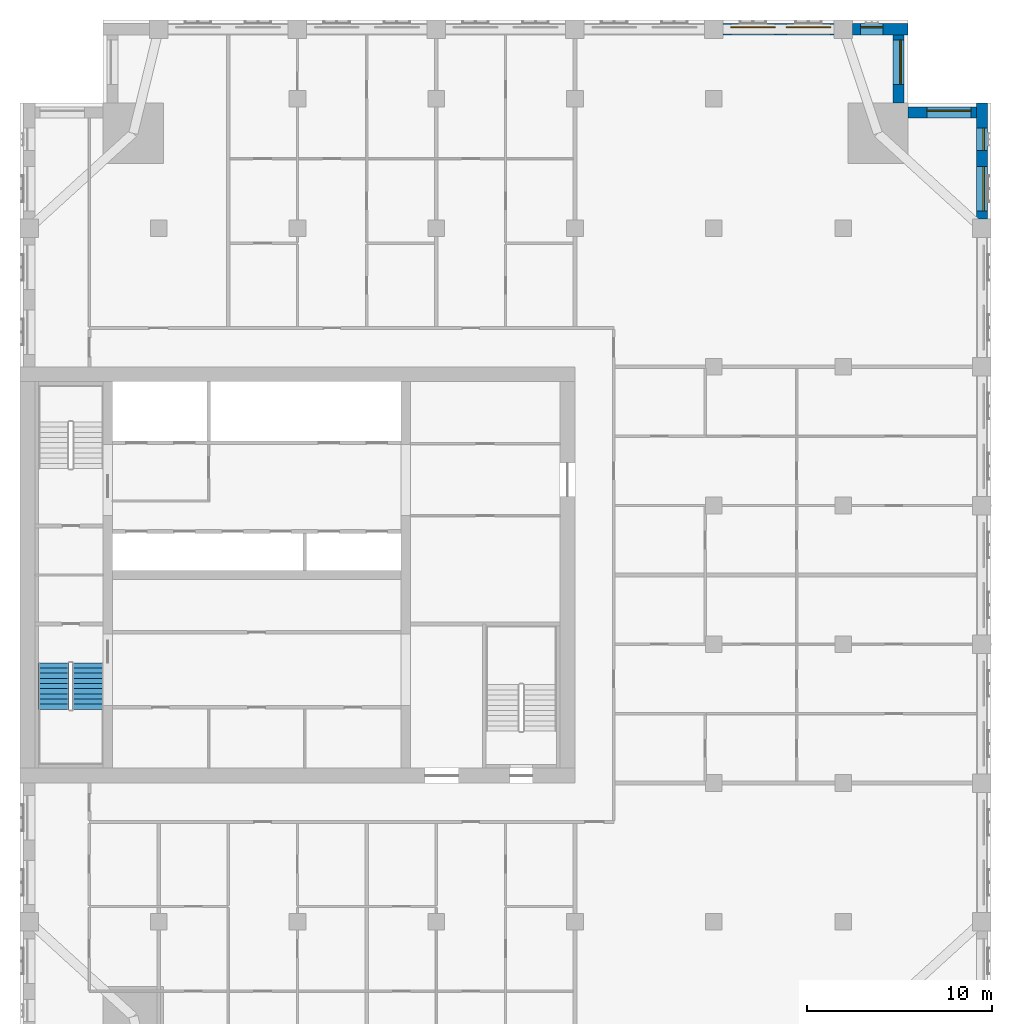
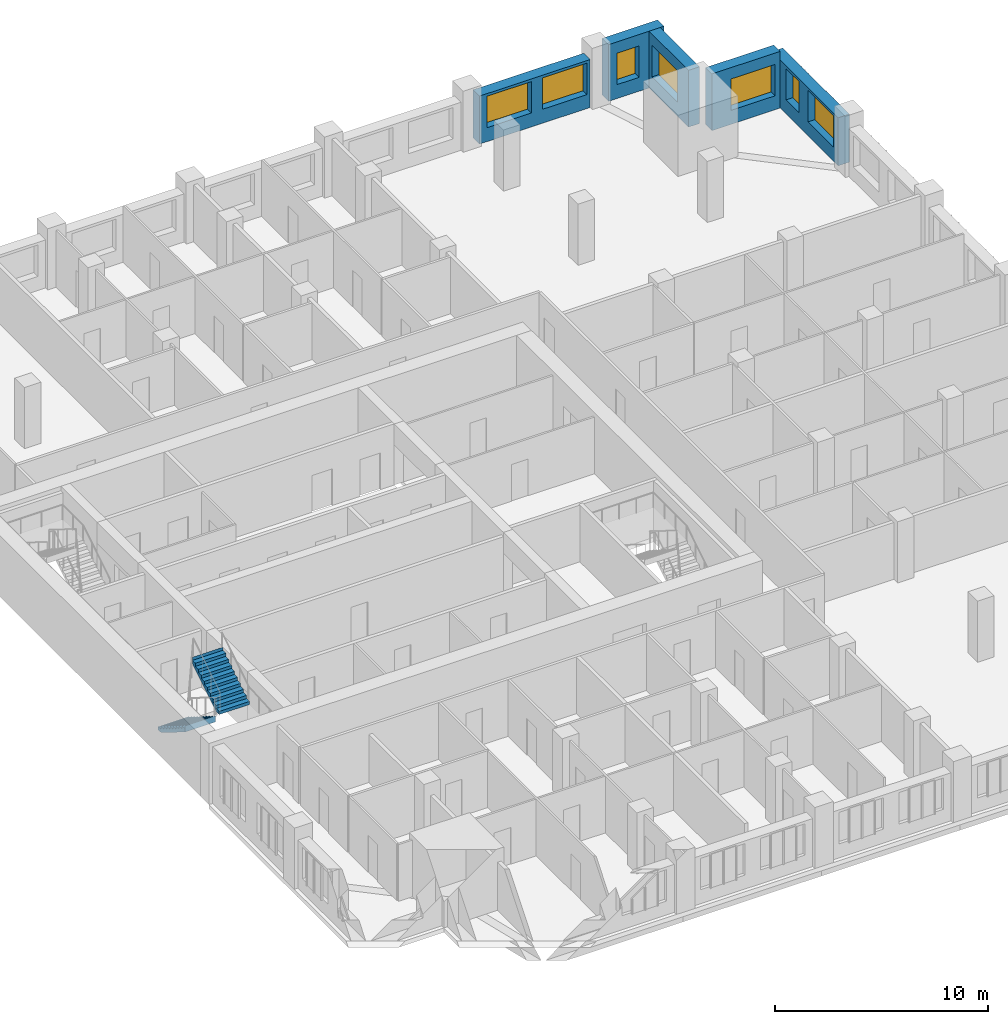
# One storey, part 12 of 14: 7 windows, 5 walls, 2 stair flights, 7 openings, 1 element without a shape of its own.
"""IFC4 building model written with IfcOpenShell, lengths in metres."""

from ifc_helpers import new_model, si_unit, direction, frame, frame_2d, origin, place, context, subcontext, project, spatial, polyline, rectangle, outline, extrude, material, layer, layer_set, type_object, element, fill, aggregate, save


model = new_model("IFC4")

# Units and contexts
model_context = context("Model", 3, precision=1e-05, world=origin(), true_north=direction((0.0, 1.0)))
body_context = subcontext(model_context, "Body", "Model", "MODEL_VIEW")
ifc_project = project(units=[si_unit("LENGTHUNIT", "METRE"), si_unit("AREAUNIT", "SQUARE_METRE"), si_unit("VOLUMEUNIT", "CUBIC_METRE"), si_unit("PLANEANGLEUNIT", "RADIAN"), si_unit("MASSUNIT", "GRAM", prefix="KILO")], contexts=[model_context])

# Site, building, storey
site_placement = place(None, origin())
site = spatial("IfcSite", under=ifc_project, at=site_placement, CompositionType="ELEMENT")
building_placement = place(site_placement, origin())
building = spatial("IfcBuilding", under=site, at=building_placement, Name="Tamorin Gate", CompositionType="ELEMENT")
storey_placement = place(building_placement, frame((0.0, 0.0, 179.199951171875)))
storey = spatial("IfcBuildingStorey", under=building, at=storey_placement, Name="L43", CompositionType="ELEMENT", Elevation=179.199951171875)

# Wall, openings, windows
ifc_material_1 = material(Name="Precast concrete C40/50", Category="concrete")
ifc_layer = layer(ifc_material_1, 0.60009765625)
ifc_layer_set = layer_set([ifc_layer], Name="Precast concrete C40/50")
wall_type = type_object("IfcWallType", Name="Board-marked concrete facade panel 600", PredefinedType="SOLIDWALL", material=ifc_layer_set)
wall_1_placement = place(storey_placement, frame((82.0, 90.5, 0.0), z_axis=(0.0, 0.0, 1.0), x_axis=(0.0, 1.0, 0.0)))
wall_1 = element("IfcWall", 1, at=wall_1_placement, inside=storey, type_object=wall_type, Name="Facade panel", PredefinedType="SOLIDWALL", context=body_context, shape_type="SweptSolid", body=[
    extrude(rectangle(XDim=6.25, YDim=0.60009765625, at=frame_2d((3.125, 0.0))), origin(), (0.0, 0.0, 1.0), 2.75),
])
opening_1_placement = place(wall_1_placement, frame((0.425048828125, 0.0, 0.800048828125)))
opening_1 = element("IfcOpeningElement", 2, at=opening_1_placement, cuts=wall_1, Name="Opening WN1", PredefinedType="OPENING", context=body_context, shape_type="SweptSolid", body=[
    extrude(rectangle(XDim=2.39990234375, YDim=1.800048828125, at=frame_2d((1.199951171875, 0.89990234375))), frame((0.0, 0.31005859375, 0.0), z_axis=(0.0, -1.0, 0.0), x_axis=(1.0, 0.0, 0.0)), (0.0, 0.0, 1.0), 0.6201171875),
])
opening_2_placement = place(wall_1_placement, frame((3.699951171875, 0.0, 0.800048828125)))
opening_2 = element("IfcOpeningElement", 3, at=opening_2_placement, cuts=wall_1, Name="Opening WN3", PredefinedType="OPENING", context=body_context, shape_type="SweptSolid", body=[
    extrude(rectangle(XDim=1.199951171875, YDim=1.800048828125, at=frame_2d((0.60009765625, 0.89990234375))), frame((0.0, 0.31005859375, 0.0), z_axis=(0.0, -1.0, 0.0), x_axis=(1.0, 0.0, 0.0)), (0.0, 0.0, 1.0), 0.6201171875),
])
ifc_material_2 = material(Name="Clear glass in aluminium frame", Category="aluminium")
window_type_1 = type_object("IfcWindowType", Name="Deep-set window 1200x1800", PartitioningType="SINGLE_PANEL", PredefinedType="WINDOW", material=ifc_material_2)
window_1_placement = place(opening_2_placement, origin())
window_1 = element("IfcWindow", 4, at=window_1_placement, inside=storey, type_object=window_type_1, Name="Deep-set window", OverallHeight=1.800048828125, OverallWidth=1.199951171875, PartitioningType="SINGLE_PANEL", PredefinedType="WINDOW", context=body_context, shape_type="SweptSolid", body=[
    extrude(rectangle(XDim=1.199951171875, YDim=1.800048828125, at=frame_2d((0.60009765625, 0.89990234375))), frame((0.0, -0.070068359375, 0.0), z_axis=(0.0, -1.0, 0.0), x_axis=(1.0, 0.0, 0.0)), (0.0, 0.0, 1.0), 0.06005859375),
])
fill(opening_2, window_1)
window_type_2 = type_object("IfcWindowType", Name="Deep-set window 2400x1800", PartitioningType="SINGLE_PANEL", PredefinedType="WINDOW", material=ifc_material_2)
window_2_placement = place(opening_1_placement, origin())
window_2 = element("IfcWindow", 5, at=window_2_placement, inside=storey, type_object=window_type_2, Name="Deep-set window", OverallHeight=1.800048828125, OverallWidth=2.39990234375, PartitioningType="SINGLE_PANEL", PredefinedType="WINDOW", context=body_context, shape_type="SweptSolid", body=[
    extrude(rectangle(XDim=2.39990234375, YDim=1.800048828125, at=frame_2d((1.199951171875, 0.89990234375))), frame((0.0, -0.070068359375, 0.0), z_axis=(0.0, -1.0, 0.0), x_axis=(1.0, 0.0, 0.0)), (0.0, 0.0, 1.0), 0.06005859375),
])
fill(opening_1, window_2)

# Wall, opening, window
wall_2_placement = place(storey_placement, frame((81.699951171875, 96.25, 0.0), z_axis=(0.0, 0.0, 1.0), x_axis=(-1.0, 0.0, 0.0)))
wall_2 = element("IfcWall", 6, at=wall_2_placement, inside=storey, type_object=wall_type, Name="Facade panel", PredefinedType="SOLIDWALL", context=body_context, shape_type="SweptSolid", body=[
    extrude(rectangle(XDim=3.699951171875, YDim=0.60009765625, at=frame_2d((1.85009765625, 0.0))), origin(), (0.0, 0.0, 1.0), 3.25),
])
opening_3_placement = place(wall_2_placement, frame((0.27490234375, 0.0, 0.800048828125)))
opening_3 = element("IfcOpeningElement", 7, at=opening_3_placement, cuts=wall_2, Name="Opening WN1", PredefinedType="OPENING", context=body_context, shape_type="SweptSolid", body=[
    extrude(rectangle(XDim=2.39990234375, YDim=1.800048828125, at=frame_2d((1.199951171875, 0.89990234375))), frame((0.0, 0.31005859375, 0.0), z_axis=(0.0, -1.0, 0.0), x_axis=(1.0, 0.0, 0.0)), (0.0, 0.0, 1.0), 0.6201171875),
])
window_3_placement = place(opening_3_placement, origin())
window_3 = element("IfcWindow", 8, at=window_3_placement, inside=storey, type_object=window_type_2, Name="Deep-set window", OverallHeight=1.800048828125, OverallWidth=2.39990234375, PartitioningType="SINGLE_PANEL", PredefinedType="WINDOW", context=body_context, shape_type="SweptSolid", body=[
    extrude(rectangle(XDim=2.39990234375, YDim=1.800048828125, at=frame_2d((1.199951171875, 0.89990234375))), frame((0.0, -0.070068359375, 0.0), z_axis=(0.0, -1.0, 0.0), x_axis=(1.0, 0.0, 0.0)), (0.0, 0.0, 1.0), 0.06005859375),
])
fill(opening_3, window_3)

wall_3_placement = place(storey_placement, frame((77.5, 96.75, 0.0), z_axis=(0.0, 0.0, 1.0), x_axis=(0.0, 1.0, 0.0)))
wall_3 = element("IfcWall", 9, at=wall_3_placement, inside=storey, type_object=wall_type, Name="Facade panel", PredefinedType="SOLIDWALL", context=body_context, shape_type="SweptSolid", body=[
    extrude(rectangle(XDim=3.699951171875, YDim=0.60009765625, at=frame_2d((1.85009765625, 0.0))), origin(), (0.0, 0.0, 1.0), 3.25),
])
opening_4_placement = place(wall_3_placement, frame((1.02490234375, 0.0, 0.800048828125)))
opening_4 = element("IfcOpeningElement", 10, at=opening_4_placement, cuts=wall_3, Name="Opening WN1", PredefinedType="OPENING", context=body_context, shape_type="SweptSolid", body=[
    extrude(rectangle(XDim=2.39990234375, YDim=1.800048828125, at=frame_2d((1.199951171875, 0.89990234375))), frame((0.0, 0.31005859375, 0.0), z_axis=(0.0, -1.0, 0.0), x_axis=(1.0, 0.0, 0.0)), (0.0, 0.0, 1.0), 0.6201171875),
])
window_4_placement = place(opening_4_placement, origin())
window_4 = element("IfcWindow", 11, at=window_4_placement, inside=storey, type_object=window_type_2, Name="Deep-set window", OverallHeight=1.800048828125, OverallWidth=2.39990234375, PartitioningType="SINGLE_PANEL", PredefinedType="WINDOW", context=body_context, shape_type="SweptSolid", body=[
    extrude(rectangle(XDim=2.39990234375, YDim=1.800048828125, at=frame_2d((1.199951171875, 0.89990234375))), frame((0.0, -0.070068359375, 0.0), z_axis=(0.0, -1.0, 0.0), x_axis=(1.0, 0.0, 0.0)), (0.0, 0.0, 1.0), 0.06005859375),
])
fill(opening_4, window_4)

wall_4_placement = place(storey_placement, frame((78.0, 100.75, 0.0), z_axis=(0.0, 0.0, 1.0), x_axis=(-1.0, 0.0, 0.0)))
wall_4 = element("IfcWall", 12, at=wall_4_placement, inside=storey, type_object=wall_type, Name="Facade panel", PredefinedType="SOLIDWALL", context=body_context, shape_type="SweptSolid", body=[
    extrude(rectangle(XDim=3.0, YDim=0.60009765625, at=frame_2d((1.5, 0.0))), origin(), (0.0, 0.0, 1.0), 3.25),
])
opening_5_placement = place(wall_4_placement, frame((1.35009765625, 0.0, 0.800048828125)))
opening_5 = element("IfcOpeningElement", 13, at=opening_5_placement, cuts=wall_4, Name="Opening WN3", PredefinedType="OPENING", context=body_context, shape_type="SweptSolid", body=[
    extrude(rectangle(XDim=1.199951171875, YDim=1.800048828125, at=frame_2d((0.60009765625, 0.89990234375))), frame((0.0, 0.31005859375, 0.0), z_axis=(0.0, -1.0, 0.0), x_axis=(1.0, 0.0, 0.0)), (0.0, 0.0, 1.0), 0.6201171875),
])
window_5_placement = place(opening_5_placement, origin())
window_5 = element("IfcWindow", 14, at=window_5_placement, inside=storey, type_object=window_type_1, Name="Deep-set window", OverallHeight=1.800048828125, OverallWidth=1.199951171875, PartitioningType="SINGLE_PANEL", PredefinedType="WINDOW", context=body_context, shape_type="SweptSolid", body=[
    extrude(rectangle(XDim=1.199951171875, YDim=1.800048828125, at=frame_2d((0.60009765625, 0.89990234375))), frame((0.0, -0.070068359375, 0.0), z_axis=(0.0, -1.0, 0.0), x_axis=(1.0, 0.0, 0.0)), (0.0, 0.0, 1.0), 0.06005859375),
])
fill(opening_5, window_5)

# Wall, openings, windows
wall_5_placement = place(storey_placement, frame((74.0, 100.75, 0.0), z_axis=(0.0, 0.0, 1.0), x_axis=(-1.0, 0.0, 0.0)))
wall_5 = element("IfcWall", 15, at=wall_5_placement, inside=storey, type_object=wall_type, Name="Facade panel", PredefinedType="SOLIDWALL", context=body_context, shape_type="SweptSolid", body=[
    extrude(rectangle(XDim=6.0, YDim=0.60009765625, at=frame_2d((3.0, 0.0))), origin(), (0.0, 0.0, 1.0), 2.75),
])
opening_6_placement = place(wall_5_placement, frame((3.175048828125, 0.0, 0.800048828125)))
opening_6 = element("IfcOpeningElement", 16, at=opening_6_placement, cuts=wall_5, Name="Opening WN1", PredefinedType="OPENING", context=body_context, shape_type="SweptSolid", body=[
    extrude(rectangle(XDim=2.39990234375, YDim=1.800048828125, at=frame_2d((1.199951171875, 0.89990234375))), frame((0.0, 0.31005859375, 0.0), z_axis=(0.0, -1.0, 0.0), x_axis=(1.0, 0.0, 0.0)), (0.0, 0.0, 1.0), 0.6201171875),
])
opening_7_placement = place(wall_5_placement, frame((0.175048828125, 0.0, 0.800048828125)))
opening_7 = element("IfcOpeningElement", 17, at=opening_7_placement, cuts=wall_5, Name="Opening WN1", PredefinedType="OPENING", context=body_context, shape_type="SweptSolid", body=[
    extrude(rectangle(XDim=2.39990234375, YDim=1.800048828125, at=frame_2d((1.199951171875, 0.89990234375))), frame((0.0, 0.31005859375, 0.0), z_axis=(0.0, -1.0, 0.0), x_axis=(1.0, 0.0, 0.0)), (0.0, 0.0, 1.0), 0.6201171875),
])
window_6_placement = place(opening_6_placement, origin())
window_6 = element("IfcWindow", 18, at=window_6_placement, inside=storey, type_object=window_type_2, Name="Deep-set window", OverallHeight=1.800048828125, OverallWidth=2.39990234375, PartitioningType="SINGLE_PANEL", PredefinedType="WINDOW", context=body_context, shape_type="SweptSolid", body=[
    extrude(rectangle(XDim=2.39990234375, YDim=1.800048828125, at=frame_2d((1.199951171875, 0.89990234375))), frame((0.0, -0.070068359375, 0.0), z_axis=(0.0, -1.0, 0.0), x_axis=(1.0, 0.0, 0.0)), (0.0, 0.0, 1.0), 0.06005859375),
])
fill(opening_6, window_6)
window_7_placement = place(opening_7_placement, origin())
window_7 = element("IfcWindow", 19, at=window_7_placement, inside=storey, type_object=window_type_2, Name="Deep-set window", OverallHeight=1.800048828125, OverallWidth=2.39990234375, PartitioningType="SINGLE_PANEL", PredefinedType="WINDOW", context=body_context, shape_type="SweptSolid", body=[
    extrude(rectangle(XDim=2.39990234375, YDim=1.800048828125, at=frame_2d((1.199951171875, 0.89990234375))), frame((0.0, -0.070068359375, 0.0), z_axis=(0.0, -1.0, 0.0), x_axis=(1.0, 0.0, 0.0)), (0.0, 0.0, 1.0), 0.06005859375),
])
fill(opening_7, window_7)

# Stair, stair flights
ifc_material_3 = material(Name="Concrete C40/50", Category="concrete")
stair_type = type_object("IfcStairType", Name="Exit stair", PredefinedType="HALF_TURN_STAIR", material=ifc_material_3)
stair_placement = place(storey_placement, origin())
stair = element("IfcStair", 20, at=stair_placement, inside=storey, type_object=stair_type, Name="L43 stair ST1", PredefinedType="HALF_TURN_STAIR")
stair_flight_type = type_object("IfcStairFlightType", Name="Exit stair flight", PredefinedType="STRAIGHT", material=ifc_material_3)
stair_flight_1_placement = place(storey_placement, frame((31.824951171875, 66.5, 0.0), z_axis=(0.0, 0.0, 1.0), x_axis=(0.0, -1.0, 0.0)))
stair_flight_1 = element("IfcStairFlight", 21, at=stair_flight_1_placement, type_object=stair_flight_type, Name="ST1 flight 1", NumberOfRisers=10, NumberOfTreads=9, PredefinedType="STRAIGHT", RiserHeight=0.175, TreadLength=0.28, context=body_context, shape_type="SweptSolid", body=[
    extrude(outline(polyline([(-0.00048828125, 0.0), (-0.00048828125, 0.001708984375), (-0.00048828125, 0.00341796875), (-0.00048828125, 0.005126953125), (-0.00048828125, 0.0068359375), (-0.00048828125, 0.008544921875), (-0.00048828125, 0.010498046875), (-0.00048828125, 0.01220703125), (-0.00048828125, 0.013916015625), (-0.00048828125, 0.015625), (-0.00048828125, 0.017333984375), (-0.00048828125, 0.01904296875), (-0.00048828125, 0.020751953125), (-0.00048828125, 0.0224609375), (-0.00048828125, 0.024169921875), (-0.00048828125, 0.02587890625), (-0.00048828125, 0.02783203125), (-0.00048828125, 0.029541015625), (-0.00048828125, 0.03125), (-0.00048828125, 0.032958984375), (-0.00048828125, 0.03466796875), (-0.00048828125, 0.036376953125), (-0.00048828125, 0.0380859375), (-0.00048828125, 0.039794921875), (-0.00048828125, 0.04150390625), (-0.00048828125, 0.043212890625), (-0.00048828125, 0.045166015625), (-0.00048828125, 0.046875), (-0.00048828125, 0.048583984375), (-0.00048828125, 0.05029296875), (-0.00048828125, 0.052001953125), (-0.00048828125, 0.0537109375), (-0.00048828125, 0.055419921875), (-0.00048828125, 0.05712890625), (-0.00048828125, 0.058837890625), (-0.00048828125, 0.060546875), (-0.00048828125, 0.062255859375), (-0.00048828125, 0.064208984375), (-0.00048828125, 0.06591796875), (-0.00048828125, 0.067626953125), (-0.00048828125, 0.0693359375), (-0.00048828125, 0.071044921875), (-0.00048828125, 0.07275390625), (-0.00048828125, 0.074462890625), (-0.00048828125, 0.076171875), (-0.00048828125, 0.077880859375), (-0.00048828125, 0.07958984375), (-0.00048828125, 0.08154296875), (-0.00048828125, 0.083251953125), (-0.00048828125, 0.0849609375), (-0.00048828125, 0.086669921875), (-0.00048828125, 0.08837890625), (-0.00048828125, 0.090087890625), (-0.00048828125, 0.091796875), (-0.00048828125, 0.093505859375), (-0.00048828125, 0.09521484375), (-0.00048828125, 0.096923828125), (-0.00048828125, 0.098876953125), (-0.00048828125, 0.1005859375), (-0.00048828125, 0.102294921875), (-0.00048828125, 0.10400390625), (-0.00048828125, 0.105712890625), (-0.00048828125, 0.107421875), (-0.00048828125, 0.109130859375), (-0.00048828125, 0.11083984375), (-0.00048828125, 0.112548828125), (-0.00048828125, 0.1142578125), (-0.00048828125, 0.1162109375), (-0.00048828125, 0.117919921875), (-0.00048828125, 0.11962890625), (-0.00048828125, 0.121337890625), (-0.00048828125, 0.123046875), (-0.00048828125, 0.124755859375), (-0.00048828125, 0.12646484375), (-0.00048828125, 0.128173828125), (-0.00048828125, 0.1298828125), (-0.00048828125, 0.131591796875), (-0.00048828125, 0.13330078125), (-0.00048828125, 0.13525390625), (-0.00048828125, 0.136962890625), (-0.00048828125, 0.138671875), (-0.00048828125, 0.140380859375), (-0.00048828125, 0.14208984375), (-0.00048828125, 0.143798828125), (-0.00048828125, 0.1455078125), (-0.00048828125, 0.147216796875), (-0.00048828125, 0.14892578125), (-0.00048828125, 0.150634765625), (-0.00048828125, 0.152587890625), (-0.00048828125, 0.154296875), (-0.00048828125, 0.156005859375), (-0.00048828125, 0.15771484375), (-0.00048828125, 0.159423828125), (-0.00048828125, 0.1611328125), (-0.00048828125, 0.162841796875), (-0.00048828125, 0.16455078125), (-0.00048828125, 0.166259765625), (-0.00048828125, 0.16796875), (-0.00048828125, 0.169921875), (-0.00048828125, 0.171630859375), (-0.00048828125, 0.17333984375), (-0.00048828125, 0.175048828125), (0.280029296875, 0.175048828125), (0.280029296875, 0.35009765625), (0.56005859375, 0.35009765625), (0.56005859375, 0.52490234375), (0.840087890625, 0.52490234375), (0.840087890625, 0.699951171875), (1.1201171875, 0.699951171875), (1.1201171875, 0.875), (1.39990234375, 0.875), (1.39990234375, 1.050048828125), (1.679931640625, 1.050048828125), (1.679931640625, 1.22509765625), (1.9599609375, 1.22509765625), (1.9599609375, 1.39990234375), (2.239990234375, 1.39990234375), (2.239990234375, 1.574951171875), (2.52001953125, 1.574951171875), (2.52001953125, 1.75), (2.5205078125, 1.75), (2.5205078125, 1.74658203125), (2.5205078125, 1.742919921875), (2.5205078125, 1.739501953125), (2.5205078125, 1.736083984375), (2.5205078125, 1.732666015625), (2.5205078125, 1.72900390625), (2.5205078125, 1.7255859375), (2.5205078125, 1.72216796875), (2.5205078125, 1.71875), (2.5205078125, 1.715087890625), (2.5205078125, 1.711669921875), (2.5205078125, 1.708251953125), (2.5205078125, 1.704833984375), (2.5205078125, 1.701171875), (2.5205078125, 1.69775390625), (2.5205078125, 1.6943359375), (2.5205078125, 1.690673828125), (2.5205078125, 1.687255859375), (2.5205078125, 1.683837890625), (2.5205078125, 1.680419921875), (2.5205078125, 1.6767578125), (2.5205078125, 1.67333984375), (2.5205078125, 1.669921875), (2.5205078125, 1.66650390625), (2.5205078125, 1.662841796875), (2.5205078125, 1.659423828125), (2.5205078125, 1.656005859375), (2.5205078125, 1.652587890625), (2.5205078125, 1.64892578125), (2.5205078125, 1.6455078125), (2.5205078125, 1.64208984375), (2.5205078125, 1.638427734375), (2.5205078125, 1.635009765625), (2.5205078125, 1.631591796875), (2.5205078125, 1.628173828125), (2.5205078125, 1.62451171875), (2.5205078125, 1.62109375), (2.5205078125, 1.61767578125), (2.5205078125, 1.6142578125), (2.5205078125, 1.610595703125), (2.5205078125, 1.607177734375), (2.5205078125, 1.603759765625), (2.5205078125, 1.600341796875), (2.5205078125, 1.5966796875), (2.5205078125, 1.59326171875), (2.5205078125, 1.58984375), (2.5205078125, 1.58642578125), (2.5205078125, 1.582763671875), (2.5205078125, 1.579345703125), (2.5205078125, 1.575927734375), (2.5205078125, 1.572265625), (2.5205078125, 1.56884765625), (2.5205078125, 1.5654296875), (2.5205078125, 1.56201171875), (2.5205078125, 1.558349609375), (2.5205078125, 1.554931640625), (2.5205078125, 1.551513671875), (2.5205078125, 1.548095703125), (2.5205078125, 1.54443359375), (2.5205078125, 1.541015625), (2.5205078125, 1.53759765625), (2.5205078125, 1.5341796875), (2.5205078125, 1.530517578125), (2.5205078125, 1.527099609375), (2.5205078125, 1.523681640625), (2.5205078125, 1.52001953125), (2.5205078125, 1.5166015625), (2.5205078125, 1.51318359375), (2.5205078125, 1.509765625), (2.5205078125, 1.506103515625), (2.5205078125, 1.502685546875), (2.5205078125, 1.499267578125), (2.5205078125, 1.495849609375), (2.5205078125, 1.4921875), (2.5205078125, 1.48876953125), (2.5205078125, 1.4853515625), (2.5205078125, 1.48193359375), (2.5205078125, 1.478271484375), (2.5205078125, 1.474853515625), (2.5205078125, 1.471435546875), (2.5205078125, 1.4677734375), (2.5205078125, 1.46435546875), (2.5205078125, 1.4609375), (2.5205078125, 1.45751953125), (2.5205078125, 1.453857421875), (2.5205078125, 1.450439453125), (2.5205078125, 1.447021484375), (2.5205078125, 1.443603515625), (2.5205078125, 1.43994140625), (2.5205078125, 1.4365234375), (2.5205078125, 1.43310546875), (2.5205078125, 1.4296875), (2.5205078125, 1.426025390625), (2.5205078125, 1.422607421875), (2.5205078125, 1.419189453125), (2.5205078125, 1.41552734375), (2.5205078125, 1.412109375), (2.5205078125, 1.40869140625), (2.5205078125, 1.4052734375), (2.5205078125, 1.401611328125), (2.5205078125, 1.398193359375), (2.52001953125, 1.398193359375), (0.28271484375, 0.0), (-0.00048828125, 0.0)])), frame((0.0, 0.824951171875, 0.0), z_axis=(0.0, -1.0, 0.0), x_axis=(1.0, 0.0, 0.0)), (0.0, 0.0, 1.0), 1.64990234375),
])
stair_flight_2_placement = place(storey_placement, frame((33.675048828125, 63.97998046875, 1.75), z_axis=(0.0, 0.0, 1.0), x_axis=(0.0, 1.0, 0.0)))
stair_flight_2 = element("IfcStairFlight", 22, at=stair_flight_2_placement, type_object=stair_flight_type, Name="ST1 flight 2", NumberOfRisers=10, NumberOfTreads=9, PredefinedType="STRAIGHT", RiserHeight=0.175, TreadLength=0.28, context=body_context, shape_type="SweptSolid", body=[
    extrude(outline(polyline([(-0.00048828125, 0.0), (-0.00048828125, 0.001708984375), (-0.00048828125, 0.00341796875), (-0.00048828125, 0.005126953125), (-0.00048828125, 0.0068359375), (-0.00048828125, 0.008544921875), (-0.00048828125, 0.010498046875), (-0.00048828125, 0.01220703125), (-0.00048828125, 0.013916015625), (-0.00048828125, 0.015625), (-0.00048828125, 0.017333984375), (-0.00048828125, 0.01904296875), (-0.00048828125, 0.020751953125), (-0.00048828125, 0.0224609375), (-0.00048828125, 0.024169921875), (-0.00048828125, 0.02587890625), (-0.00048828125, 0.02783203125), (-0.00048828125, 0.029541015625), (-0.00048828125, 0.03125), (-0.00048828125, 0.032958984375), (-0.00048828125, 0.03466796875), (-0.00048828125, 0.036376953125), (-0.00048828125, 0.0380859375), (-0.00048828125, 0.039794921875), (-0.00048828125, 0.04150390625), (-0.00048828125, 0.043212890625), (-0.00048828125, 0.045166015625), (-0.00048828125, 0.046875), (-0.00048828125, 0.048583984375), (-0.00048828125, 0.05029296875), (-0.00048828125, 0.052001953125), (-0.00048828125, 0.0537109375), (-0.00048828125, 0.055419921875), (-0.00048828125, 0.05712890625), (-0.00048828125, 0.058837890625), (-0.00048828125, 0.060546875), (-0.00048828125, 0.062255859375), (-0.00048828125, 0.064208984375), (-0.00048828125, 0.06591796875), (-0.00048828125, 0.067626953125), (-0.00048828125, 0.0693359375), (-0.00048828125, 0.071044921875), (-0.00048828125, 0.07275390625), (-0.00048828125, 0.074462890625), (-0.00048828125, 0.076171875), (-0.00048828125, 0.077880859375), (-0.00048828125, 0.07958984375), (-0.00048828125, 0.08154296875), (-0.00048828125, 0.083251953125), (-0.00048828125, 0.0849609375), (-0.00048828125, 0.086669921875), (-0.00048828125, 0.08837890625), (-0.00048828125, 0.090087890625), (-0.00048828125, 0.091796875), (-0.00048828125, 0.093505859375), (-0.00048828125, 0.09521484375), (-0.00048828125, 0.096923828125), (-0.00048828125, 0.098876953125), (-0.00048828125, 0.1005859375), (-0.00048828125, 0.102294921875), (-0.00048828125, 0.10400390625), (-0.00048828125, 0.105712890625), (-0.00048828125, 0.107421875), (-0.00048828125, 0.109130859375), (-0.00048828125, 0.11083984375), (-0.00048828125, 0.112548828125), (-0.00048828125, 0.1142578125), (-0.00048828125, 0.1162109375), (-0.00048828125, 0.117919921875), (-0.00048828125, 0.11962890625), (-0.00048828125, 0.121337890625), (-0.00048828125, 0.123046875), (-0.00048828125, 0.124755859375), (-0.00048828125, 0.12646484375), (-0.00048828125, 0.128173828125), (-0.00048828125, 0.1298828125), (-0.00048828125, 0.131591796875), (-0.00048828125, 0.13330078125), (-0.00048828125, 0.13525390625), (-0.00048828125, 0.136962890625), (-0.00048828125, 0.138671875), (-0.00048828125, 0.140380859375), (-0.00048828125, 0.14208984375), (-0.00048828125, 0.143798828125), (-0.00048828125, 0.1455078125), (-0.00048828125, 0.147216796875), (-0.00048828125, 0.14892578125), (-0.00048828125, 0.150634765625), (-0.00048828125, 0.152587890625), (-0.00048828125, 0.154296875), (-0.00048828125, 0.156005859375), (-0.00048828125, 0.15771484375), (-0.00048828125, 0.159423828125), (-0.00048828125, 0.1611328125), (-0.00048828125, 0.162841796875), (-0.00048828125, 0.16455078125), (-0.00048828125, 0.166259765625), (-0.00048828125, 0.16796875), (-0.00048828125, 0.169921875), (-0.00048828125, 0.171630859375), (-0.00048828125, 0.17333984375), (-0.00048828125, 0.175048828125), (0.280029296875, 0.175048828125), (0.280029296875, 0.35009765625), (0.56005859375, 0.35009765625), (0.56005859375, 0.52490234375), (0.840087890625, 0.52490234375), (0.840087890625, 0.699951171875), (1.1201171875, 0.699951171875), (1.1201171875, 0.875), (1.39990234375, 0.875), (1.39990234375, 1.050048828125), (1.679931640625, 1.050048828125), (1.679931640625, 1.22509765625), (1.9599609375, 1.22509765625), (1.9599609375, 1.39990234375), (2.239990234375, 1.39990234375), (2.239990234375, 1.574951171875), (2.52001953125, 1.574951171875), (2.52001953125, 1.75), (2.5205078125, 1.75), (2.5205078125, 1.74658203125), (2.5205078125, 1.742919921875), (2.5205078125, 1.739501953125), (2.5205078125, 1.736083984375), (2.5205078125, 1.732666015625), (2.5205078125, 1.72900390625), (2.5205078125, 1.7255859375), (2.5205078125, 1.72216796875), (2.5205078125, 1.71875), (2.5205078125, 1.715087890625), (2.5205078125, 1.711669921875), (2.5205078125, 1.708251953125), (2.5205078125, 1.704833984375), (2.5205078125, 1.701171875), (2.5205078125, 1.69775390625), (2.5205078125, 1.6943359375), (2.5205078125, 1.690673828125), (2.5205078125, 1.687255859375), (2.5205078125, 1.683837890625), (2.5205078125, 1.680419921875), (2.5205078125, 1.6767578125), (2.5205078125, 1.67333984375), (2.5205078125, 1.669921875), (2.5205078125, 1.66650390625), (2.5205078125, 1.662841796875), (2.5205078125, 1.659423828125), (2.5205078125, 1.656005859375), (2.5205078125, 1.652587890625), (2.5205078125, 1.64892578125), (2.5205078125, 1.6455078125), (2.5205078125, 1.64208984375), (2.5205078125, 1.638427734375), (2.5205078125, 1.635009765625), (2.5205078125, 1.631591796875), (2.5205078125, 1.628173828125), (2.5205078125, 1.62451171875), (2.5205078125, 1.62109375), (2.5205078125, 1.61767578125), (2.5205078125, 1.6142578125), (2.5205078125, 1.610595703125), (2.5205078125, 1.607177734375), (2.5205078125, 1.603759765625), (2.5205078125, 1.600341796875), (2.5205078125, 1.5966796875), (2.5205078125, 1.59326171875), (2.5205078125, 1.58984375), (2.5205078125, 1.58642578125), (2.5205078125, 1.582763671875), (2.5205078125, 1.579345703125), (2.5205078125, 1.575927734375), (2.5205078125, 1.572265625), (2.5205078125, 1.56884765625), (2.5205078125, 1.5654296875), (2.5205078125, 1.56201171875), (2.5205078125, 1.558349609375), (2.5205078125, 1.554931640625), (2.5205078125, 1.551513671875), (2.5205078125, 1.548095703125), (2.5205078125, 1.54443359375), (2.5205078125, 1.541015625), (2.5205078125, 1.53759765625), (2.5205078125, 1.5341796875), (2.5205078125, 1.530517578125), (2.5205078125, 1.527099609375), (2.5205078125, 1.523681640625), (2.5205078125, 1.52001953125), (2.5205078125, 1.5166015625), (2.5205078125, 1.51318359375), (2.5205078125, 1.509765625), (2.5205078125, 1.506103515625), (2.5205078125, 1.502685546875), (2.5205078125, 1.499267578125), (2.5205078125, 1.495849609375), (2.5205078125, 1.4921875), (2.5205078125, 1.48876953125), (2.5205078125, 1.4853515625), (2.5205078125, 1.48193359375), (2.5205078125, 1.478271484375), (2.5205078125, 1.474853515625), (2.5205078125, 1.471435546875), (2.5205078125, 1.4677734375), (2.5205078125, 1.46435546875), (2.5205078125, 1.4609375), (2.5205078125, 1.45751953125), (2.5205078125, 1.453857421875), (2.5205078125, 1.450439453125), (2.5205078125, 1.447021484375), (2.5205078125, 1.443603515625), (2.5205078125, 1.43994140625), (2.5205078125, 1.4365234375), (2.5205078125, 1.43310546875), (2.5205078125, 1.4296875), (2.5205078125, 1.426025390625), (2.5205078125, 1.422607421875), (2.5205078125, 1.419189453125), (2.5205078125, 1.41552734375), (2.5205078125, 1.412109375), (2.5205078125, 1.40869140625), (2.5205078125, 1.4052734375), (2.5205078125, 1.401611328125), (2.5205078125, 1.398193359375), (2.52001953125, 1.398193359375), (0.28271484375, 0.0), (-0.00048828125, 0.0)])), frame((0.0, 0.824951171875, 0.0), z_axis=(0.0, -1.0, 0.0), x_axis=(1.0, 0.0, 0.0)), (0.0, 0.0, 1.0), 1.64990234375),
])
aggregate(stair, [stair_flight_1, stair_flight_2])

save(model, "model.ifc")
